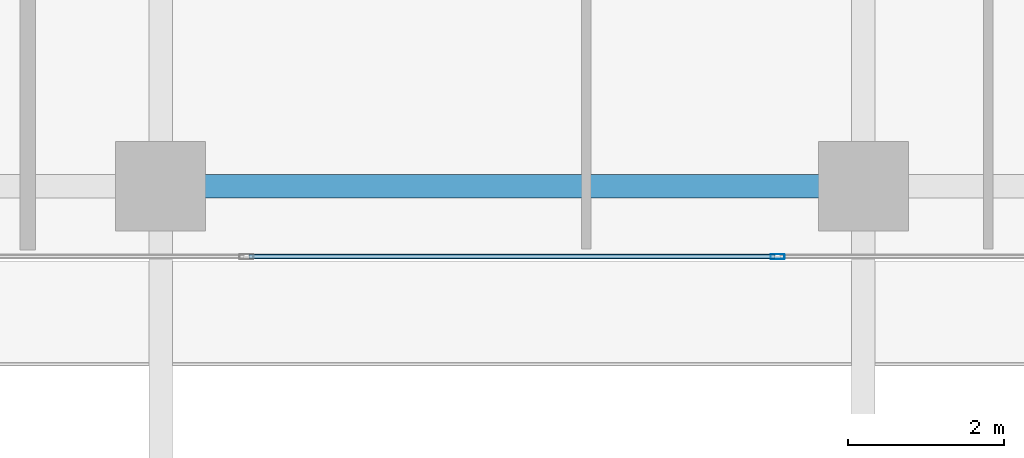
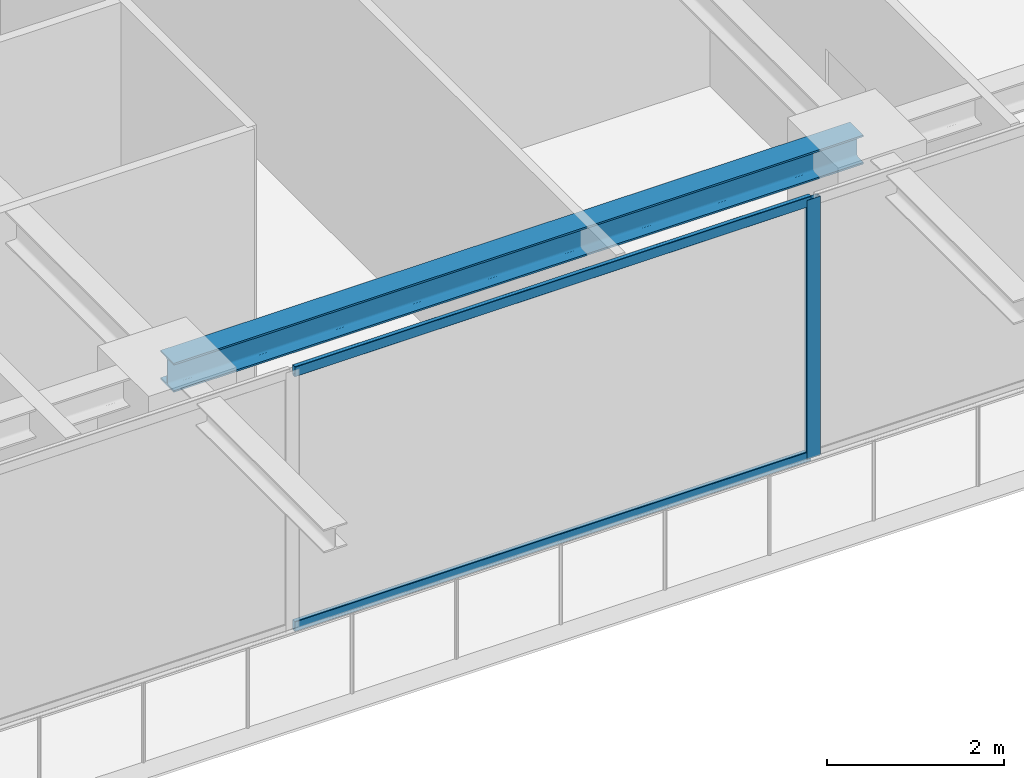
# One storey, part 6 of 39: 3 members, 1 beam, 1 element without a shape of its own.
"""IFC4 building model written with IfcOpenShell, lengths in metres."""

from ifc_helpers import new_model, si_unit, direction, frame, origin, origin_2d, place, context, subcontext, project, spatial, hollow_rectangle, i_section, extrude, source, transform, mapped, material, layer, layer_set, material_profile, profile_set, type_object, element, aggregate, save


model = new_model("IFC4")

# Units and contexts
model_context = context("Model", 3, precision=1e-05, world=origin(), true_north=direction((0.0, 1.0)))
body_context = subcontext(model_context, "Body", "Model", "MODEL_VIEW")
ifc_project = project(units=[si_unit("LENGTHUNIT", "METRE"), si_unit("AREAUNIT", "SQUARE_METRE"), si_unit("VOLUMEUNIT", "CUBIC_METRE"), si_unit("PLANEANGLEUNIT", "RADIAN"), si_unit("MASSUNIT", "GRAM", prefix="KILO")], contexts=[model_context])

# Site, building, storey
site_placement = place(None, origin())
site = spatial("IfcSite", under=ifc_project, at=site_placement, CompositionType="ELEMENT")
building_placement = place(site_placement, origin())
building = spatial("IfcBuilding", under=site, at=building_placement, Name="Serunith Strait Residences", CompositionType="ELEMENT")
storey_placement = place(building_placement, frame((0.0, 0.0, 222.0)))
storey = spatial("IfcBuildingStorey", under=building, at=storey_placement, Name="L55", CompositionType="ELEMENT", Elevation=222.0)

# Beam
ifc_material_1 = material(Name="Steel S355J2", Category="steel")
ifc_material_profile_1 = material_profile(ifc_material_1, i_section(OverallWidth=0.300048828125, OverallDepth=0.39990234375, WebThickness=0.013427734375, FlangeThickness=0.02392578125, FilletRadius=0.027099609375, at=origin_2d()), Name="HEB 400")
ifc_profile_set_1 = profile_set([ifc_material_profile_1], Name="Steel S355J2")
beam_type = type_object("IfcBeamType", Name="BM-HEB400", PredefinedType="BEAM", material=ifc_profile_set_1)
shared_shape_1 = source(origin(), body_context, "Body", "SweptSolid", [
    extrude(i_section(OverallWidth=0.300048828125, OverallDepth=0.39990234375, WebThickness=0.013427734375, FlangeThickness=0.02392578125, FilletRadius=0.027099609375, at=origin_2d()), origin(), (0.0, 0.0, 1.0), 9.0),
])
beam_placement = place(storey_placement, frame((27.89990234375, 2.10009765625, 3.386962890625), z_axis=(1.0, 0.0, 0.0), x_axis=(0.0, 1.0, 0.0)))
element("IfcBeam", 1, at=beam_placement, inside=storey, type_object=beam_type, Name="L55 Perimeter Ring Beam 02", PredefinedType="BEAM", context=body_context, shape_type="MappedRepresentation", body=[
    mapped(shared_shape_1, transform((0.0, 0.0, 0.0), scale=1.0)),
])

# Curtain wall, members
ifc_material_2 = material(Name="Pale-Champagne Anodised Aluminium", Category="aluminium")
ifc_layer = layer(ifc_material_2, 0.199951171875, Name="Pale-Champagne Anodised Aluminium")
ifc_layer_set = layer_set([ifc_layer], Name="Pale-Champagne Anodised Aluminium")
curtain_wall_type = type_object("IfcCurtainWallType", Name="CW-SYS4", PredefinedType="NOTDEFINED", material=ifc_layer_set)
curtain_wall_placement = place(storey_placement, origin())
curtain_wall = element("IfcCurtainWall", 2, at=curtain_wall_placement, inside=storey, type_object=curtain_wall_type, Name="L55 S Unitised Fritted Curtain Wall", PredefinedType="NOTDEFINED")
ifc_material_profile_2 = material_profile(ifc_material_2, hollow_rectangle(XDim=0.06494140625, YDim=0.179931640625, WallThickness=0.00341796875, InnerFilletRadius=0.00537109375, OuterFilletRadius=0.0087890625, at=origin_2d()), Name="ALU 180x65x3.5")
ifc_profile_set_2 = profile_set([ifc_material_profile_2], Name="Pale-Champagne Anodised Aluminium")
member_type_1 = type_object("IfcMemberType", Name="CW-SYS4-MULL", PredefinedType="MULLION", material=ifc_profile_set_2)
shared_shape_2 = source(origin(), body_context, "Body", "SweptSolid", [
    extrude(hollow_rectangle(XDim=0.06494140625, YDim=0.179931640625, WallThickness=0.00341796875, InnerFilletRadius=0.00537109375, OuterFilletRadius=0.0087890625, at=origin_2d()), origin(), (0.0, 0.0, 1.0), 3.574951171875),
])
member_1_placement = place(storey_placement, frame((35.800048828125, 1.199951171875, 0.0), z_axis=(0.0, 0.0, 1.0), x_axis=(0.0, 1.0, 0.0)))
member_1 = element("IfcMember", 3, at=member_1_placement, type_object=member_type_1, Name="CW-4 mullion 4", PredefinedType="MULLION", context=body_context, shape_type="MappedRepresentation", body=[
    mapped(shared_shape_2, transform((0.0, 0.0, 0.0), scale=1.0)),
])
ifc_material_profile_3 = material_profile(ifc_material_2, hollow_rectangle(XDim=0.06005859375, YDim=0.139892578125, WallThickness=0.00341796875, InnerFilletRadius=0.00537109375, OuterFilletRadius=0.0087890625, at=origin_2d()), Name="ALU 140x60x3.5")
ifc_profile_set_3 = profile_set([ifc_material_profile_3], Name="Pale-Champagne Anodised Aluminium")
member_type_2 = type_object("IfcMemberType", Name="CW-SYS4-TRAN", PredefinedType="USERDEFINED", material=ifc_profile_set_3)
shared_shape_3 = source(origin(), body_context, "Body", "SweptSolid", [
    extrude(hollow_rectangle(XDim=0.06005859375, YDim=0.139892578125, WallThickness=0.00341796875, InnerFilletRadius=0.00537109375, OuterFilletRadius=0.0087890625, at=origin_2d()), origin(), (0.0, 0.0, 1.0), 6.735107421875),
])
member_2_placement = place(storey_placement, frame((29.032470703125, 1.199951171875, 0.030029296875), z_axis=(1.0, 0.0, 0.0), x_axis=(0.0, 1.0, 0.0)))
member_2 = element("IfcMember", 4, at=member_2_placement, type_object=member_type_2, Name="CW-4 transom 3.1", ObjectType="TRANSOM", PredefinedType="USERDEFINED", context=body_context, shape_type="MappedRepresentation", body=[
    mapped(shared_shape_3, transform((0.0, 0.0, 0.0), scale=1.0)),
])
member_3_placement = place(storey_placement, frame((29.032470703125, 1.199951171875, 3.544921875), z_axis=(1.0, 0.0, 0.0), x_axis=(0.0, 1.0, 0.0)))
member_3 = element("IfcMember", 5, at=member_3_placement, type_object=member_type_2, Name="CW-4 transom 3.2", ObjectType="TRANSOM", PredefinedType="USERDEFINED", context=body_context, shape_type="MappedRepresentation", body=[
    mapped(shared_shape_3, transform((0.0, 0.0, 0.0), scale=1.0)),
])
aggregate(curtain_wall, [member_1, member_2, member_3])

save(model, "model.ifc")
